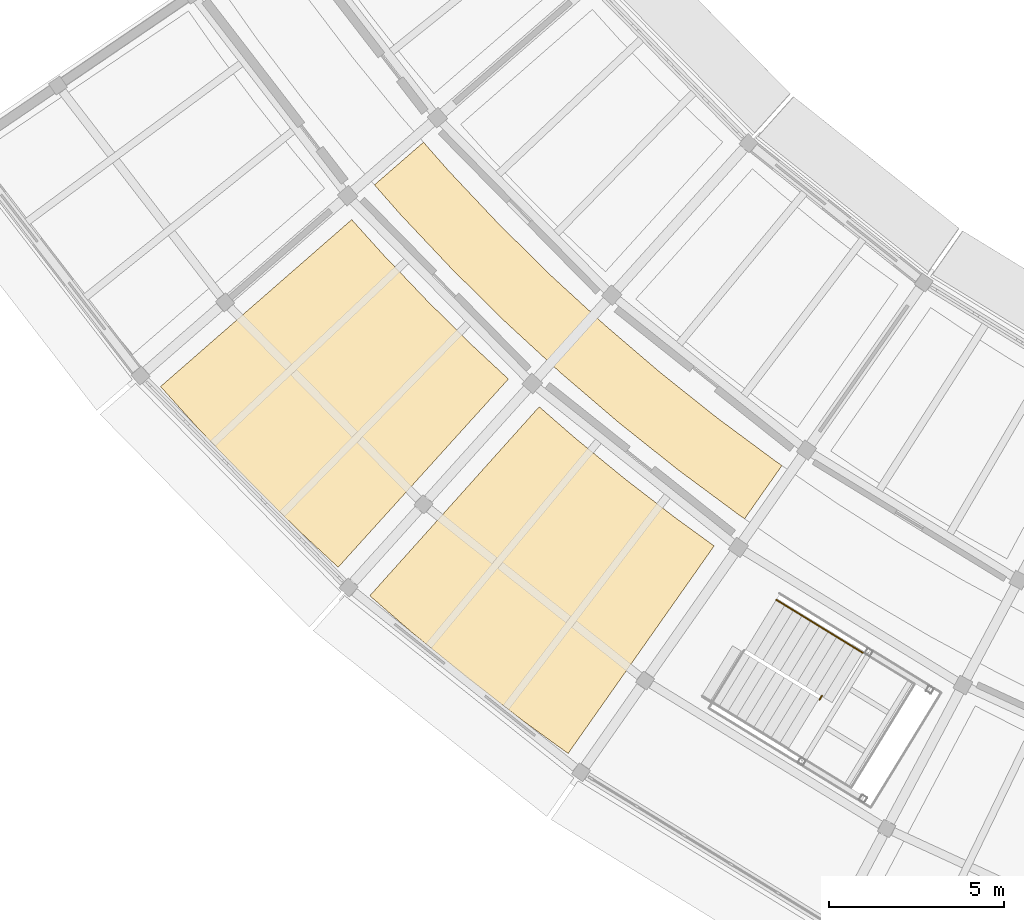
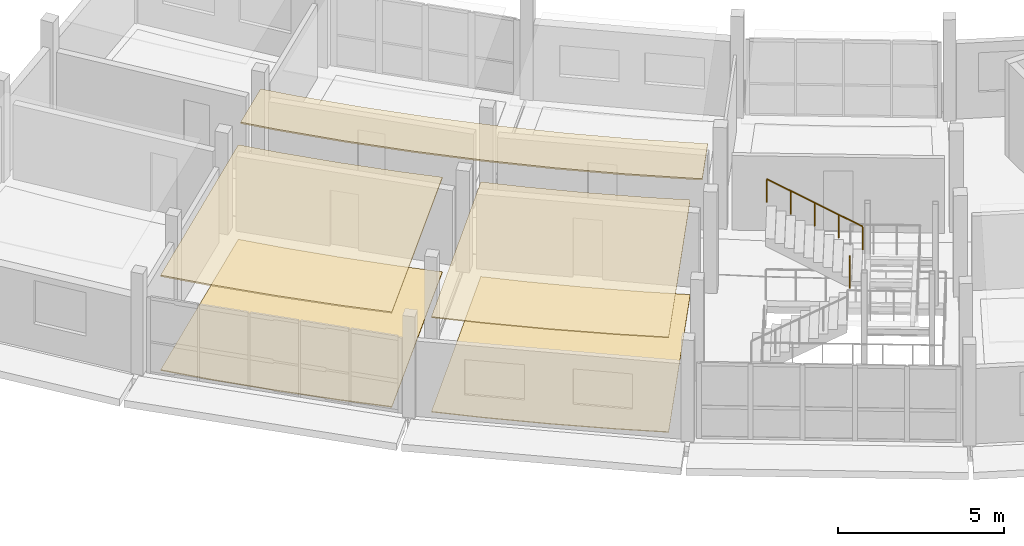
# One storey, part 68 of 77: 5 coverings, 2 railings.
"""IFC4 building model written with IfcOpenShell, lengths in metres."""

from ifc_helpers import new_model, si_unit, direction, frame, origin, origin_2d, place, context, subcontext, project, spatial, polyline, circle, outline, extrude, material, layer, layer_set, type_object, element, save


model = new_model("IFC4")

# Units and contexts
model_context = context("Model", 3, precision=1e-05, world=origin(), true_north=direction((0.0, 1.0)))
body_context = subcontext(model_context, "Body", "Model", "MODEL_VIEW")
ifc_project = project(units=[si_unit("LENGTHUNIT", "METRE"), si_unit("AREAUNIT", "SQUARE_METRE"), si_unit("VOLUMEUNIT", "CUBIC_METRE"), si_unit("PLANEANGLEUNIT", "RADIAN"), si_unit("MASSUNIT", "GRAM", prefix="KILO")], contexts=[model_context])

# Site, building, storey
site_placement = place(None, origin())
site = spatial("IfcSite", under=ifc_project, at=site_placement, CompositionType="ELEMENT")
building_placement = place(site_placement, origin())
building = spatial("IfcBuilding", under=site, at=building_placement, Name="Caldaven Crescent School", CompositionType="ELEMENT")
storey_placement = place(building_placement, frame((0.0, 0.0, 4.419921875)))
storey = spatial("IfcBuildingStorey", under=building, at=storey_placement, Name="L01", CompositionType="ELEMENT", Elevation=4.419921875)

# Coverings
ifc_material_1 = material(Name="Perforated Pino Radiata acoustic timber baffle ceiling", Category="wood")
ifc_layer_1 = layer(ifc_material_1, 0.0380859375)
ifc_layer_set_1 = layer_set([ifc_layer_1], Name="Perforated Pino Radiata acoustic timber baffle ceiling")
covering_type_1 = type_object("IfcCoveringType", Name="COV-CLG2", PredefinedType="CEILING", material=ifc_layer_set_1)
covering_1_placement = place(storey_placement, frame((0.0, 0.0, 3.482177734375)))
element("IfcCovering", 1, at=covering_1_placement, inside=storey, type_object=covering_type_1, Name="CLG-L01-121", PredefinedType="CEILING", context=body_context, shape_type="SweptSolid", body=[
    extrude(outline(polyline([(47.9443359375, 48.58447265625), (47.95458984375, 48.575927734375), (49.355224609375, 47.427734375), (49.36572265625, 47.41943359375), (50.7998046875, 46.312744140625), (50.810302734375, 46.304931640625), (51.917236328125, 45.50146484375), (47.739501953125, 39.56396484375), (46.45458984375, 40.496826171875), (44.841064453125, 41.74169921875), (43.264892578125, 43.03369140625), (42.067138671875, 44.075927734375), (46.91259765625, 49.482421875), (47.9443359375, 48.58447265625)])), origin(), (0.0, 0.0, 1.0), 0.037841796875),
])
ifc_layer_2 = layer(ifc_material_1, 0.053955078125)
ifc_layer_set_2 = layer_set([ifc_layer_2], Name="Perforated Pino Radiata acoustic timber baffle ceiling")
covering_type_2 = type_object("IfcCoveringType", Name="COV-CLG4", PredefinedType="CEILING", material=ifc_layer_set_2)
covering_2_placement = place(storey_placement, frame((0.0, 0.0, 3.466064453125)))
element("IfcCovering", 2, at=covering_2_placement, inside=storey, type_object=covering_type_2, Name="CLG-L01-115", PredefinedType="CEILING", context=body_context, shape_type="SweptSolid", body=[
    extrude(outline(polyline([(44.310302734375, 56.244873046875), (44.321044921875, 56.23291015625), (45.74951171875, 54.718505859375), (45.760498046875, 54.707275390625), (47.241943359375, 53.244384765625), (47.25341796875, 53.2333984375), (48.78564453125, 51.82421875), (48.797607421875, 51.813720703125), (50.37890625, 50.459716796875), (50.39111328125, 50.44970703125), (52.01953125, 49.152587890625), (52.0322265625, 49.14306640625), (53.70556640625, 47.90478515625), (53.718505859375, 47.8955078125), (53.856689453125, 47.80078125), (52.7880859375, 46.27880859375), (52.63232421875, 46.385498046875), (50.893310546875, 47.672607421875), (49.20068359375, 49.0205078125), (47.556884765625, 50.427734375), (45.96435546875, 51.892578125), (44.4248046875, 53.412841796875), (42.940185546875, 54.987060546875), (42.200439453125, 55.829345703125), (43.603515625, 57.0498046875), (44.310302734375, 56.244873046875)])), origin(), (0.0, 0.0, 1.0), 0.053955078125),
])
covering_3_placement = place(storey_placement, frame((0.0, 0.0, 3.466064453125)))
element("IfcCovering", 3, at=covering_3_placement, inside=storey, type_object=covering_type_2, Name="CLG-L01-119", PredefinedType="CEILING", context=body_context, shape_type="SweptSolid", body=[
    extrude(outline(polyline([(42.464599609375, 53.8193359375), (42.473388671875, 53.809814453125), (43.723876953125, 52.499267578125), (43.733154296875, 52.489990234375), (45.021484375, 51.216796875), (45.03125, 51.20751953125), (46.031982421875, 50.275146484375), (41.161865234375, 44.89111328125), (40.0, 45.973388671875), (38.55029296875, 47.406005859375), (37.1435546875, 48.88037109375), (36.08154296875, 50.060791015625), (41.5498046875, 54.83642578125), (42.464599609375, 53.8193359375)])), origin(), (0.0, 0.0, 1.0), 0.053955078125),
])
ifc_material_2 = material(Name="Polished terrazzo and acoustic linoleum flooring")
ifc_layer_3 = layer(ifc_material_2, 0.02587890625)
ifc_layer_set_3 = layer_set([ifc_layer_3], Name="Polished terrazzo and acoustic linoleum flooring")
covering_type_3 = type_object("IfcCoveringType", Name="COV-FLR2", PredefinedType="FLOORING", material=ifc_layer_set_3)
covering_4_placement = place(storey_placement, origin())
element("IfcCovering", 4, at=covering_4_placement, inside=storey, type_object=covering_type_3, Name="FLR-L01-121", PredefinedType="FLOORING", context=body_context, shape_type="SweptSolid", body=[
    extrude(outline(polyline([(46.91259765625, 49.482421875), (47.9443359375, 48.58447265625), (47.95458984375, 48.575927734375), (49.355224609375, 47.427734375), (49.36572265625, 47.41943359375), (50.7998046875, 46.312744140625), (50.810302734375, 46.304931640625), (51.917236328125, 45.50146484375), (47.739501953125, 39.56396484375), (46.45458984375, 40.496826171875), (44.841064453125, 41.74169921875), (43.264892578125, 43.03369140625), (42.067138671875, 44.075927734375), (46.91259765625, 49.482421875)])), origin(), (0.0, 0.0, 1.0), 0.026123046875),
])
ifc_layer_4 = layer(ifc_material_2, 0.031982421875)
ifc_layer_set_4 = layer_set([ifc_layer_4], Name="Polished terrazzo and acoustic linoleum flooring")
covering_type_4 = type_object("IfcCoveringType", Name="COV-FLR3", PredefinedType="FLOORING", material=ifc_layer_set_4)
covering_5_placement = place(storey_placement, origin())
element("IfcCovering", 5, at=covering_5_placement, inside=storey, type_object=covering_type_4, Name="FLR-L01-119", PredefinedType="FLOORING", context=body_context, shape_type="SweptSolid", body=[
    extrude(outline(polyline([(41.5498046875, 54.83642578125), (42.464599609375, 53.8193359375), (42.473388671875, 53.809814453125), (43.723876953125, 52.499267578125), (43.733154296875, 52.489990234375), (45.021484375, 51.216796875), (45.03125, 51.20751953125), (46.031982421875, 50.275146484375), (41.161865234375, 44.89111328125), (40.0, 45.973388671875), (38.55029296875, 47.406005859375), (37.1435546875, 48.88037109375), (36.08154296875, 50.060791015625), (41.5498046875, 54.83642578125)])), origin(), (0.0, 0.0, 1.0), 0.031982421875),
])

# Railings
ifc_material_3 = material(Name="Brushed stainless-steel continuous tubular handrail", Category="steel")
railing_type_1 = type_object("IfcRailingType", Name="RAL-HR1", PredefinedType="HANDRAIL", material=ifc_material_3)
railing_1_placement = place(storey_placement, frame((56.167236328125, 42.44580078125, 2.04296875)))
element("IfcRailing", 6, at=railing_1_placement, inside=storey, type_object=railing_type_1, Name="HR-ST1-L01-F2", PredefinedType="HANDRAIL", context=body_context, shape_type="SweptSolid", body=[
    extrude(circle(Radius=0.02392578125, at=origin_2d()), frame((0.0, 0.0, 0.85595703125), z_axis=(-0.735535977415, 0.450777232604, 0.505753608483), x_axis=(-0.522532446618, -0.852619400572, 0.0)), (0.0, 0.0, 1.0), 3.36181640625),
    extrude(circle(Radius=0.02099609375, at=origin_2d()), origin(), (0.0, 0.0, 1.0), 0.831787109375),
    extrude(circle(Radius=0.02099609375, at=origin_2d()), frame((-0.6181640625, 0.37890625, 0.425048828125)), (0.0, 0.0, 1.0), 0.831787109375),
    extrude(circle(Radius=0.02099609375, at=origin_2d()), frame((-1.236328125, 0.7578125, 0.85009765625)), (0.0, 0.0, 1.0), 0.831787109375),
    extrude(circle(Radius=0.02099609375, at=origin_2d()), frame((-1.8544921875, 1.136474609375, 1.275146484375)), (0.0, 0.0, 1.0), 0.831787109375),
    extrude(circle(Radius=0.02099609375, at=origin_2d()), frame((-2.47265625, 1.515380859375, 1.7001953125)), (0.0, 0.0, 1.0), 0.831787109375),
])
ifc_material_4 = material(Name="Powder-coated tubular steel balustrade ASTM A572 Grade 50", Category="steel")
railing_type_2 = type_object("IfcRailingType", Name="RAL-INT2", PredefinedType="BALUSTRADE", material=ifc_material_4)
railing_2_placement = place(storey_placement, frame((54.930908203125, 41.098388671875, 1.8701171875)))
element("IfcRailing", 7, at=railing_2_placement, inside=storey, type_object=railing_type_2, Name="GD-SLT-ST1-L01", PredefinedType="BALUSTRADE", context=body_context, shape_type="SweptSolid", body=[
    extrude(circle(Radius=0.02392578125, at=origin_2d()), frame((0.0, 0.0, 1.09619140625), z_axis=(0.522439134351, 0.85267658048, 0.0), x_axis=(-0.85267658048, 0.522439134351, 0.0)), (0.0, 0.0, 1.0), 0.1396484375),
    extrude(circle(Radius=0.02099609375, at=origin_2d()), origin(), (0.0, 0.0, 1.0), 1.072021484375),
    extrude(circle(Radius=0.02099609375, at=origin_2d()), frame((0.072998046875, 0.119140625, 0.0)), (0.0, 0.0, 1.0), 1.072021484375),
])

save(model, "model.ifc")
